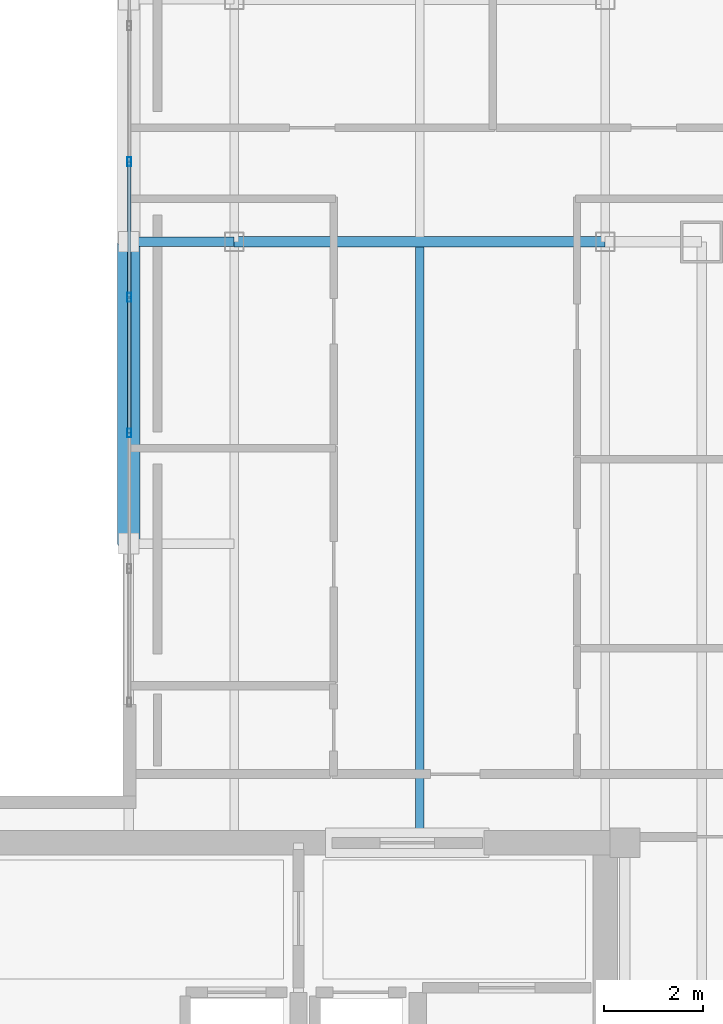
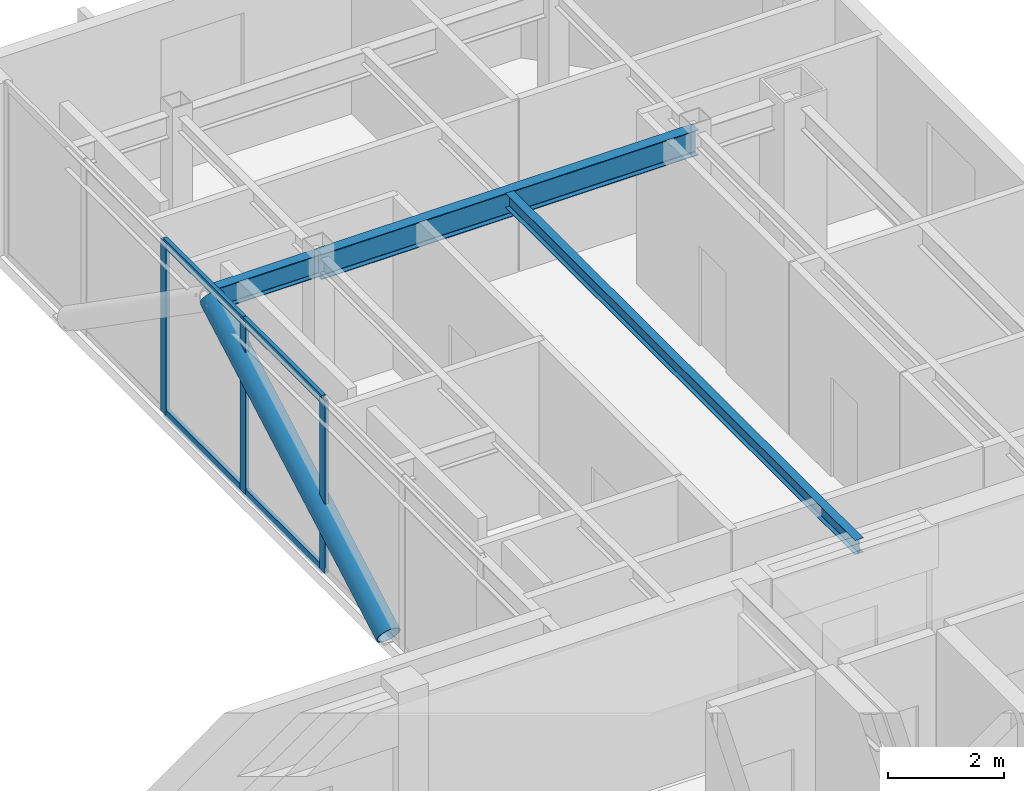
# One storey, part 11 of 18: 8 members, 3 beams, 1 element without a shape of its own.
"""IFC4 building model written with IfcOpenShell, lengths in metres."""

import ifcopenshell
import ifcopenshell.guid

model = None  # the IFC model being written
_history = None  # IfcOwnerHistory: only IFC2X3 demands one
_inside = {}  # id of a spatial element -> (the spatial element, [elements in it])
_under = {}  # id of a project, library or spatial element -> (it, [spatial elements below it])
_declared = {}  # id of a project -> (the project, [libraries it declares])
_typed = {}  # id of a type object -> (the type object, [elements of that type])
_made_of = {}  # id of a material, layer set ... -> (it, [elements and type objects made of it])


def new_model(schema):
    """Start an empty IFC model of exactly this schema.

    Asked for "IFC4X3", IfcOpenShell would pick the latest addendum, in which some entities
    have other attributes; the version numbers below select the first issue.
    IFC2X3 requires an IfcOwnerHistory on every rooted entity: one is made here for all.
    """
    global model, _history
    if schema == "IFC4X3":
        model = ifcopenshell.file(schema_version=(4, 3, 0, 0))
    else:
        model = ifcopenshell.file(schema=schema)
    _inside.clear()
    _under.clear()
    _declared.clear()
    _typed.clear()
    _made_of.clear()
    _history = None
    if model.schema == "IFC2X3":
        org = make("IfcOrganization", Name="unknown")
        user = make(
            "IfcPersonAndOrganization",
            ThePerson=make("IfcPerson", FamilyName="unknown"),
            TheOrganization=org,
        )
        app = make(
            "IfcApplication",
            ApplicationDeveloper=org,
            Version="unknown",
            ApplicationFullName="unknown",
            ApplicationIdentifier="unknown",
        )
        _history = make(
            "IfcOwnerHistory",
            OwningUser=user,
            OwningApplication=app,
            ChangeAction="ADDED",
            CreationDate=0,
        )
    return model


def make(cls, **values):
    """One entity of the class cls with the attributes given. An attribute that is None is left unset."""
    return model.create_entity(
        cls, **{name: value for name, value in values.items() if value is not None}
    )


def rooted(cls, **values):
    """An entity with a GlobalId (a new one), such as an element, a storey or a relation."""
    return make(cls, GlobalId=ifcopenshell.guid.new(), OwnerHistory=_history, **values)


def si_unit(unit_type, name, prefix=None):
    """IfcSIUnit, for example si_unit("LENGTHUNIT", "METRE", prefix="MILLI")."""
    return make("IfcSIUnit", UnitType=unit_type, Prefix=prefix, Name=name)


def assignment(units):
    """IfcUnitAssignment: the units of a project."""
    return None if units is None else make("IfcUnitAssignment", Units=units)


def point(xyz):
    """IfcCartesianPoint."""
    return None if xyz is None else make("IfcCartesianPoint", Coordinates=xyz)


def direction(xyz):
    """IfcDirection."""
    return None if xyz is None else make("IfcDirection", DirectionRatios=xyz)


def frame(location, z_axis=None, x_axis=None):
    """IfcAxis2Placement3D, a coordinate frame: its origin and axes. An axis left out is left unset."""
    return make(
        "IfcAxis2Placement3D",
        Location=point(location),
        Axis=direction(z_axis),
        RefDirection=direction(x_axis),
    )


def frame_2d(location, x_axis=None):
    """IfcAxis2Placement2D, a coordinate frame in the plane: its origin and x axis."""
    return make(
        "IfcAxis2Placement2D", Location=point(location), RefDirection=direction(x_axis)
    )


def origin():
    """The frame at (0, 0, 0) with its axes left unset."""
    return frame((0.0, 0.0, 0.0))


def origin_2d():
    """The frame at (0, 0) in the plane with its x axis left unset."""
    return frame_2d((0.0, 0.0))


def place(relative_to, where):
    """IfcLocalPlacement: puts the frame where relative to a parent placement (None: the world)."""
    return make(
        "IfcLocalPlacement", PlacementRelTo=relative_to, RelativePlacement=where
    )


def context(
    kind, dimensions, precision=None, world=None, true_north=None, identifier=None
):
    """IfcGeometricRepresentationContext, for example the 3D "Model" context."""
    return make(
        "IfcGeometricRepresentationContext",
        ContextIdentifier=identifier,
        ContextType=kind,
        CoordinateSpaceDimension=dimensions,
        Precision=precision,
        WorldCoordinateSystem=world,
        TrueNorth=true_north,
    )


def subcontext(parent, identifier, kind, view, scale=None):
    """IfcGeometricRepresentationSubContext, for example "Body" below "Model"."""
    return make(
        "IfcGeometricRepresentationSubContext",
        ContextIdentifier=identifier,
        ContextType=kind,
        ParentContext=parent,
        TargetScale=scale,
        TargetView=view,
    )


def project(units=None, contexts=None):
    """IfcProject with its units and contexts."""
    return rooted(
        "IfcProject",
        Name="project",
        RepresentationContexts=contexts,
        UnitsInContext=assignment(units),
    )


def spatial(cls, under=None, at=None, **own):
    """A site, building, storey or space (cls), placed at a placement, below another one or the project."""
    s = rooted(cls, ObjectPlacement=at, **own)
    if under is not None:
        _under.setdefault(under.id(), (under, []))[1].append(s)
    return s


def profile(cls, at=None, kind="AREA", **sizes):
    """A parametric profile (cls). Its sizes go by their IFC names, for example OverallWidth=200.0."""
    return make(cls, ProfileType=kind, Position=at, **sizes)


def hollow_rectangle(**sizes):
    """IfcRectangleHollowProfileDef."""
    return profile("IfcRectangleHollowProfileDef", **sizes)


def hollow_circle(**sizes):
    """IfcCircleHollowProfileDef."""
    return profile("IfcCircleHollowProfileDef", **sizes)


def i_section(**sizes):
    """IfcIShapeProfileDef."""
    return profile("IfcIShapeProfileDef", **sizes)


def extrude(swept, where, along, depth):
    """IfcExtrudedAreaSolid: the profile swept, set in the frame where, extruded along a direction by depth."""
    return make(
        "IfcExtrudedAreaSolid",
        SweptArea=swept,
        Position=where,
        ExtrudedDirection=direction(along),
        Depth=depth,
    )


def shape(context_of_items, identifier, shape_type, items):
    """IfcShapeRepresentation: the items that make up one representation, for example the "Body"."""
    return make(
        "IfcShapeRepresentation",
        ContextOfItems=context_of_items,
        RepresentationIdentifier=identifier,
        RepresentationType=shape_type,
        Items=items,
    )


def material(Name=None, Category=None):
    """IfcMaterial."""
    return make("IfcMaterial", Name=Name, Category=Category)


def material_profile(
    of_material, cross_section, Name=None, Category=None, Priority=None
):
    """IfcMaterialProfile: a cross section and its material."""
    return make(
        "IfcMaterialProfile",
        Name=Name,
        Material=of_material,
        Profile=cross_section,
        Priority=Priority,
        Category=Category,
    )


def profile_set(profiles, Name=None, composite=None):
    """IfcMaterialProfileSet."""
    return make(
        "IfcMaterialProfileSet",
        Name=Name,
        MaterialProfiles=profiles,
        CompositeProfile=composite,
    )


def made_of(thing, what):
    """Note that an element or type object is made of a material, layer set ...; save() writes the relation."""
    if what is not None:
        _made_of.setdefault(what.id(), (what, []))[1].append(thing)
    return thing


def type_object(cls, material=None, **own):
    """A type object (cls), such as IfcWallType, which elements share."""
    return made_of(rooted(cls, **own), material)


def element(
    cls,
    number,
    at=None,
    inside=None,
    cuts=None,
    type_object=None,
    material=None,
    context=None,
    identifier="Body",
    shape_type=None,
    held_by="IfcProductDefinitionShape",
    body=None,
    shapes=None,
    **own,
):
    """One element of the class cls, such as IfcWall. Its Tag is "e" and its number.

    at: its placement. inside: the storey or other place that contains it. cuts: it is an
    opening in that element (IfcRelVoidsElement). A single representation is given by context,
    identifier, shape_type and body (its items); several are given by shapes. held_by: the class
    of the entity that holds the representations. save() writes the other relations.
    """
    e = rooted(cls, Tag="e%d" % number, ObjectPlacement=at, **own)
    if body is not None:
        shapes = [shape(context, identifier, shape_type, body)]
    if shapes is not None:
        e.Representation = make(held_by, Representations=shapes)
    if inside is not None:
        _inside.setdefault(inside.id(), (inside, []))[1].append(e)
    if cuts is not None:
        rooted(
            "IfcRelVoidsElement", RelatingBuildingElement=cuts, RelatedOpeningElement=e
        )
    if type_object is not None:
        _typed.setdefault(type_object.id(), (type_object, []))[1].append(e)
    return made_of(e, material)


def aggregate(whole, parts):
    """IfcRelAggregates: a whole, such as a stair, and the parts it consists of."""
    return rooted("IfcRelAggregates", RelatingObject=whole, RelatedObjects=parts)


def save(model, path):
    """Write the relations noted so far, then the file.

    IfcRelAggregates (storeys below a building ...), IfcRelContainedInSpatialStructure (elements
    in a storey), IfcRelDefinesByType, IfcRelAssociatesMaterial and IfcRelDeclares: one each for
    every whole, place, type object, material and project.
    """
    for whole, parts in _under.values():
        aggregate(whole, parts)
    for where, things in _inside.values():
        rooted(
            "IfcRelContainedInSpatialStructure",
            RelatedElements=things,
            RelatingStructure=where,
        )
    for kind, things in _typed.values():
        rooted("IfcRelDefinesByType", RelatedObjects=things, RelatingType=kind)
    for what, things in _made_of.values():
        rooted("IfcRelAssociatesMaterial", RelatedObjects=things, RelatingMaterial=what)
    for by, libraries in _declared.values():
        rooted("IfcRelDeclares", RelatingContext=by, RelatedDefinitions=libraries)
    model.write(path)


model = new_model("IFC4")

# Units and contexts
model_context = context("Model", 3, precision=1e-05, world=origin(), true_north=direction((0.0, 1.0)))
body_context = subcontext(model_context, "Body", "Model", "MODEL_VIEW")
ifc_project = project(units=[si_unit("LENGTHUNIT", "METRE"), si_unit("AREAUNIT", "SQUARE_METRE"), si_unit("VOLUMEUNIT", "CUBIC_METRE"), si_unit("PLANEANGLEUNIT", "RADIAN"), si_unit("MASSUNIT", "GRAM", prefix="KILO")], contexts=[model_context])

# Site, building, storey
site_placement = place(None, origin())
site = spatial("IfcSite", under=ifc_project, at=site_placement, CompositionType="ELEMENT")
building_placement = place(site_placement, origin())
building = spatial("IfcBuilding", under=site, at=building_placement, Name="Ventersveld Concourse Tower", CompositionType="ELEMENT")
storey_placement = place(building_placement, frame((0.0, 0.0, 341.35009765625)))
storey = spatial("IfcBuildingStorey", under=building, at=storey_placement, Name="L84", CompositionType="ELEMENT", Elevation=341.35009765625)

# Beam
ifc_material_1 = material(Name="Structural steel S355J2", Category="steel")
ifc_material_profile_1 = material_profile(ifc_material_1, i_section(OverallWidth=0.1650390625, OverallDepth=0.303466796875, WebThickness=0.006103515625, FlangeThickness=0.01025390625, FilletRadius=0.0087890625, at=origin_2d()), Name="UB 305x165x40")
ifc_profile_set_1 = profile_set([ifc_material_profile_1], Name="Structural steel S355J2")
beam_type_1 = type_object("IfcBeamType", Name="BM-UB305", PredefinedType="BEAM", material=ifc_profile_set_1)
beam_1_placement = place(storey_placement, frame((40.0, 11.449951171875, 3.478271484375), z_axis=(0.0, 1.0, 0.0), x_axis=(-1.0, 0.0, 0.0)))
element("IfcBeam", 1, at=beam_1_placement, inside=storey, type_object=beam_type_1, Name="L84 N-S Composite Floor Beam South X=40.00", PredefinedType="BEAM", context=body_context, shape_type="SweptSolid", body=[
    extrude(i_section(OverallWidth=0.1650390625, OverallDepth=0.303466796875, WebThickness=0.006103515625, FlangeThickness=0.01025390625, FilletRadius=0.0087890625, at=origin_2d()), origin(), (0.0, 0.0, 1.0), 12.054931640625),
])

# Curtain wall, members
ifc_material_2 = material(Name="Anodised aluminium EN AW-6063-T6", Category="aluminium")
curtain_wall_type = type_object("IfcCurtainWallType", Name="CW-WP-5", PredefinedType="NOTDEFINED", material=ifc_material_2)
curtain_wall_placement = place(storey_placement, origin())
curtain_wall = element("IfcCurtainWall", 2, at=curtain_wall_placement, inside=storey, type_object=curtain_wall_type, Name="L84 L84 Wind Portal Aerodynamic Cheek Curtain Wall", PredefinedType="NOTDEFINED")
ifc_material_profile_2 = material_profile(ifc_material_2, hollow_rectangle(XDim=0.074951171875, YDim=0.179931640625, WallThickness=0.00390625, at=origin_2d()), Name="ALU 180x75x4")
ifc_profile_set_2 = profile_set([ifc_material_profile_2], Name="Anodised aluminium EN AW-6063-T6")
member_type_1 = type_object("IfcMemberType", Name="CWM-180x75", PredefinedType="MULLION", material=ifc_profile_set_2)
member_1_placement = place(storey_placement, frame((34.1298828125, 19.736083984375, 0.0), z_axis=(0.0, 0.0, 1.0), x_axis=(1.0, 0.0, 0.0)))
member_1 = element("IfcMember", 3, at=member_1_placement, type_object=member_type_1, Name="CW-L84-WP-E Mullion 03", PredefinedType="MULLION", context=body_context, shape_type="SweptSolid", body=[
    extrude(hollow_rectangle(XDim=0.074951171875, YDim=0.179931640625, WallThickness=0.00390625, at=origin_2d()), origin(), (0.0, 0.0, 1.0), 3.6298828125),
])
member_2_placement = place(storey_placement, frame((34.1298828125, 22.47900390625, 0.0), z_axis=(0.0, 0.0, 1.0), x_axis=(1.0, 0.0, 0.0)))
member_2 = element("IfcMember", 4, at=member_2_placement, type_object=member_type_1, Name="CW-L84-WP-E Mullion 04", PredefinedType="MULLION", context=body_context, shape_type="SweptSolid", body=[
    extrude(hollow_rectangle(XDim=0.074951171875, YDim=0.179931640625, WallThickness=0.00390625, at=origin_2d()), origin(), (0.0, 0.0, 1.0), 3.6298828125),
])
member_3_placement = place(storey_placement, frame((34.1298828125, 25.22216796875, 0.0), z_axis=(0.0, 0.0, 1.0), x_axis=(1.0, 0.0, 0.0)))
member_3 = element("IfcMember", 5, at=member_3_placement, type_object=member_type_1, Name="CW-L84-WP-E Mullion 05", PredefinedType="MULLION", context=body_context, shape_type="SweptSolid", body=[
    extrude(hollow_rectangle(XDim=0.074951171875, YDim=0.179931640625, WallThickness=0.00390625, at=origin_2d()), origin(), (0.0, 0.0, 1.0), 3.6298828125),
])
ifc_material_profile_3 = material_profile(ifc_material_2, hollow_rectangle(XDim=0.074951171875, YDim=0.179931640625, WallThickness=0.00390625, at=origin_2d()), Name="ALU 180x75x4")
ifc_profile_set_3 = profile_set([ifc_material_profile_3], Name="Anodised aluminium EN AW-6063-T6")
member_type_2 = type_object("IfcMemberType", Name="CWT-180x75", PredefinedType="USERDEFINED", material=ifc_profile_set_3)
member_4_placement = place(storey_placement, frame((34.1298828125, 19.74609375, 0.02978515625), z_axis=(0.0, 1.0, 0.0), x_axis=(-1.0, 0.0, 0.0)))
member_4 = element("IfcMember", 6, at=member_4_placement, type_object=member_type_2, Name="CW-L84-WP-E Transom 1-03", ObjectType="TRANSOM", PredefinedType="USERDEFINED", context=body_context, shape_type="SweptSolid", body=[
    extrude(hollow_rectangle(XDim=0.074951171875, YDim=0.179931640625, WallThickness=0.00390625, at=origin_2d()), origin(), (0.0, 0.0, 1.0), 2.722900390625),
])
member_5_placement = place(storey_placement, frame((34.1298828125, 22.489013671875, 0.02978515625), z_axis=(0.0, 1.0, 0.0), x_axis=(-1.0, 0.0, 0.0)))
member_5 = element("IfcMember", 7, at=member_5_placement, type_object=member_type_2, Name="CW-L84-WP-E Transom 1-04", ObjectType="TRANSOM", PredefinedType="USERDEFINED", context=body_context, shape_type="SweptSolid", body=[
    extrude(hollow_rectangle(XDim=0.074951171875, YDim=0.179931640625, WallThickness=0.00390625, at=origin_2d()), origin(), (0.0, 0.0, 1.0), 2.72314453125),
])
member_6_placement = place(storey_placement, frame((34.1298828125, 19.74609375, 3.599853515625), z_axis=(0.0, 1.0, 0.0), x_axis=(-1.0, 0.0, 0.0)))
member_6 = element("IfcMember", 8, at=member_6_placement, type_object=member_type_2, Name="CW-L84-WP-E Transom 2-03", ObjectType="TRANSOM", PredefinedType="USERDEFINED", context=body_context, shape_type="SweptSolid", body=[
    extrude(hollow_rectangle(XDim=0.074951171875, YDim=0.179931640625, WallThickness=0.00390625, at=origin_2d()), origin(), (0.0, 0.0, 1.0), 2.722900390625),
])
member_7_placement = place(storey_placement, frame((34.1298828125, 22.489013671875, 3.599853515625), z_axis=(0.0, 1.0, 0.0), x_axis=(-1.0, 0.0, 0.0)))
member_7 = element("IfcMember", 9, at=member_7_placement, type_object=member_type_2, Name="CW-L84-WP-E Transom 2-04", ObjectType="TRANSOM", PredefinedType="USERDEFINED", context=body_context, shape_type="SweptSolid", body=[
    extrude(hollow_rectangle(XDim=0.074951171875, YDim=0.179931640625, WallThickness=0.00390625, at=origin_2d()), origin(), (0.0, 0.0, 1.0), 2.72314453125),
])
aggregate(curtain_wall, [member_1, member_2, member_3, member_4, member_5, member_6, member_7])

# Beams
ifc_material_profile_4 = material_profile(ifc_material_1, i_section(OverallWidth=0.209228515625, OverallDepth=0.533203125, WebThickness=0.010009765625, FlangeThickness=0.015625, FilletRadius=0.0126953125, at=origin_2d()), Name="UB 533x210x92")
ifc_profile_set_4 = profile_set([ifc_material_profile_4], Name="Structural steel S355J2")
beam_type_2 = type_object("IfcBeamType", Name="GRD-UB533", PredefinedType="T_BEAM", material=ifc_profile_set_4)
beam_2_placement = place(storey_placement, frame((36.25, 23.60009765625, 3.36328125), z_axis=(1.0, 0.0, 0.0), x_axis=(0.0, 1.0, 0.0)))
element("IfcBeam", 10, at=beam_2_placement, inside=storey, type_object=beam_type_2, Name="L84 Primary E-W Grid Girder Y=23.60 #4", PredefinedType="T_BEAM", context=body_context, shape_type="SweptSolid", body=[
    extrude(i_section(OverallWidth=0.209228515625, OverallDepth=0.533203125, WebThickness=0.010009765625, FlangeThickness=0.015625, FilletRadius=0.0126953125, at=origin_2d()), origin(), (0.0, 0.0, 1.0), 7.5),
])
ifc_material_profile_5 = material_profile(ifc_material_1, i_section(OverallWidth=0.19140625, OverallDepth=0.4599609375, WebThickness=0.010009765625, FlangeThickness=0.01611328125, FilletRadius=0.01025390625, at=origin_2d()), Name="UB 457x191x82")
ifc_profile_set_5 = profile_set([ifc_material_profile_5], Name="Structural steel S355J2")
beam_type_3 = type_object("IfcBeamType", Name="SPD-UB457", PredefinedType="SPANDREL", material=ifc_profile_set_5)
beam_3_placement = place(storey_placement, frame((34.1201171875, 23.60009765625, 3.39990234375), z_axis=(1.0, 0.0, 0.0), x_axis=(0.0, 1.0, 0.0)))
element("IfcBeam", 11, at=beam_3_placement, inside=storey, type_object=beam_type_3, Name="L84 Wind Portal East Tie YD", PredefinedType="SPANDREL", context=body_context, shape_type="SweptSolid", body=[
    extrude(i_section(OverallWidth=0.19140625, OverallDepth=0.4599609375, WebThickness=0.010009765625, FlangeThickness=0.01611328125, FilletRadius=0.01025390625, at=origin_2d()), origin(), (0.0, 0.0, 1.0), 2.1298828125),
])

# Member
ifc_material_3 = material(Name="Structural steel S355ML", Category="steel")
ifc_material_profile_6 = material_profile(ifc_material_3, hollow_circle(Radius=0.228515625, WallThickness=0.02001953125, at=origin_2d()), Name="CHS 457x20")
ifc_profile_set_6 = profile_set([ifc_material_profile_6], Name="Structural steel S355ML")
member_type_3 = type_object("IfcMemberType", Name="STR-WP-457", PredefinedType="STRUT", material=ifc_profile_set_6)
member_8_placement = place(storey_placement, frame((34.1201171875, 17.5, 0.0), z_axis=(0.0, 0.872880467892, 0.4879341029), x_axis=(-1.0, 0.0, 0.0)))
element("IfcMember", 12, at=member_8_placement, inside=storey, type_object=member_type_3, Name="L84 Wind Portal Edge Brace Strut E1", PredefinedType="STRUT", context=body_context, shape_type="SweptSolid", body=[
    extrude(hollow_circle(Radius=0.228515625, WallThickness=0.02001953125, at=origin_2d()), origin(), (0.0, 0.0, 1.0), 6.988525390625),
])

save(model, "model.ifc")
